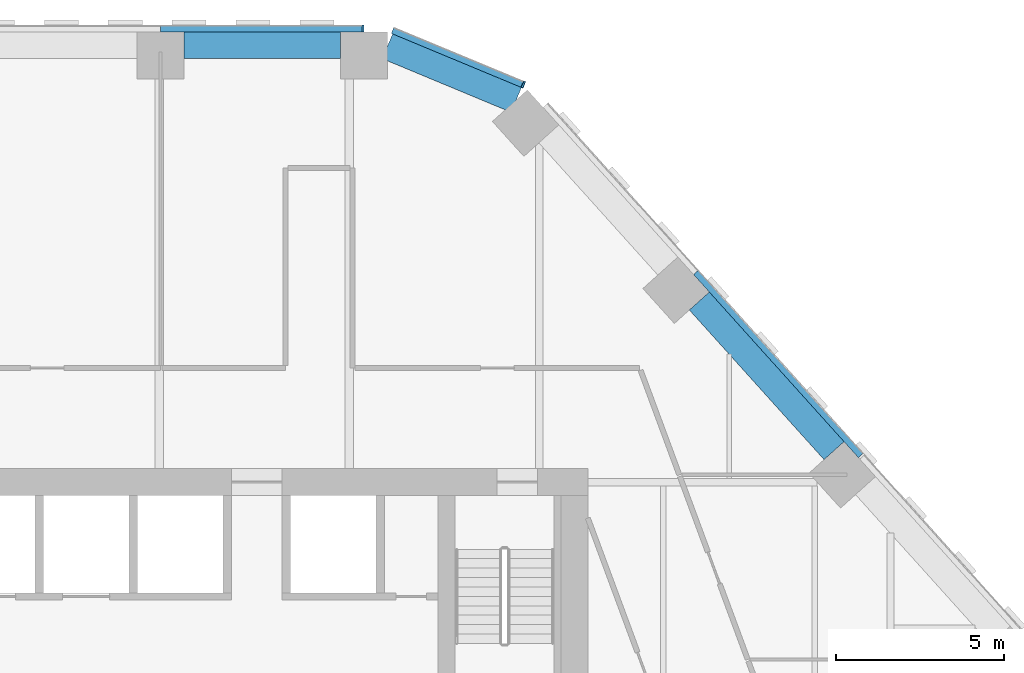
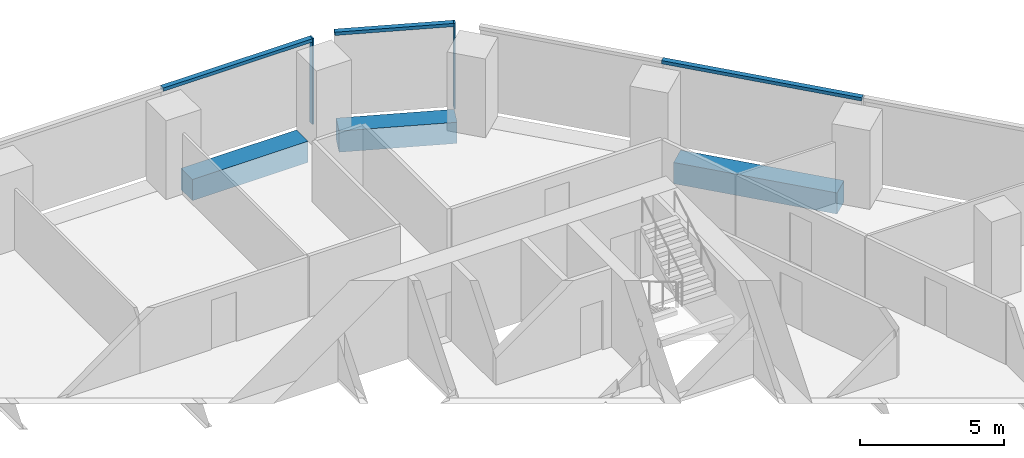
# One storey, part 9 of 17: 5 members, 3 beams, 3 elements without a shape of their own.
"""IFC4 building model written with IfcOpenShell, lengths in metres."""

import ifcopenshell
import ifcopenshell.guid

model = None  # the IFC model being written
_history = None  # IfcOwnerHistory: only IFC2X3 demands one
_inside = {}  # id of a spatial element -> (the spatial element, [elements in it])
_under = {}  # id of a project, library or spatial element -> (it, [spatial elements below it])
_declared = {}  # id of a project -> (the project, [libraries it declares])
_typed = {}  # id of a type object -> (the type object, [elements of that type])
_made_of = {}  # id of a material, layer set ... -> (it, [elements and type objects made of it])


def new_model(schema):
    """Start an empty IFC model of exactly this schema.

    Asked for "IFC4X3", IfcOpenShell would pick the latest addendum, in which some entities
    have other attributes; the version numbers below select the first issue.
    IFC2X3 requires an IfcOwnerHistory on every rooted entity: one is made here for all.
    """
    global model, _history
    if schema == "IFC4X3":
        model = ifcopenshell.file(schema_version=(4, 3, 0, 0))
    else:
        model = ifcopenshell.file(schema=schema)
    _inside.clear()
    _under.clear()
    _declared.clear()
    _typed.clear()
    _made_of.clear()
    _history = None
    if model.schema == "IFC2X3":
        org = make("IfcOrganization", Name="unknown")
        user = make(
            "IfcPersonAndOrganization",
            ThePerson=make("IfcPerson", FamilyName="unknown"),
            TheOrganization=org,
        )
        app = make(
            "IfcApplication",
            ApplicationDeveloper=org,
            Version="unknown",
            ApplicationFullName="unknown",
            ApplicationIdentifier="unknown",
        )
        _history = make(
            "IfcOwnerHistory",
            OwningUser=user,
            OwningApplication=app,
            ChangeAction="ADDED",
            CreationDate=0,
        )
    return model


def make(cls, **values):
    """One entity of the class cls with the attributes given. An attribute that is None is left unset."""
    return model.create_entity(
        cls, **{name: value for name, value in values.items() if value is not None}
    )


def rooted(cls, **values):
    """An entity with a GlobalId (a new one), such as an element, a storey or a relation."""
    return make(cls, GlobalId=ifcopenshell.guid.new(), OwnerHistory=_history, **values)


def si_unit(unit_type, name, prefix=None):
    """IfcSIUnit, for example si_unit("LENGTHUNIT", "METRE", prefix="MILLI")."""
    return make("IfcSIUnit", UnitType=unit_type, Prefix=prefix, Name=name)


def assignment(units):
    """IfcUnitAssignment: the units of a project."""
    return None if units is None else make("IfcUnitAssignment", Units=units)


def point(xyz):
    """IfcCartesianPoint."""
    return None if xyz is None else make("IfcCartesianPoint", Coordinates=xyz)


def direction(xyz):
    """IfcDirection."""
    return None if xyz is None else make("IfcDirection", DirectionRatios=xyz)


def frame(location, z_axis=None, x_axis=None):
    """IfcAxis2Placement3D, a coordinate frame: its origin and axes. An axis left out is left unset."""
    return make(
        "IfcAxis2Placement3D",
        Location=point(location),
        Axis=direction(z_axis),
        RefDirection=direction(x_axis),
    )


def frame_2d(location, x_axis=None):
    """IfcAxis2Placement2D, a coordinate frame in the plane: its origin and x axis."""
    return make(
        "IfcAxis2Placement2D", Location=point(location), RefDirection=direction(x_axis)
    )


def origin():
    """The frame at (0, 0, 0) with its axes left unset."""
    return frame((0.0, 0.0, 0.0))


def origin_2d():
    """The frame at (0, 0) in the plane with its x axis left unset."""
    return frame_2d((0.0, 0.0))


def place(relative_to, where):
    """IfcLocalPlacement: puts the frame where relative to a parent placement (None: the world)."""
    return make(
        "IfcLocalPlacement", PlacementRelTo=relative_to, RelativePlacement=where
    )


def context(
    kind, dimensions, precision=None, world=None, true_north=None, identifier=None
):
    """IfcGeometricRepresentationContext, for example the 3D "Model" context."""
    return make(
        "IfcGeometricRepresentationContext",
        ContextIdentifier=identifier,
        ContextType=kind,
        CoordinateSpaceDimension=dimensions,
        Precision=precision,
        WorldCoordinateSystem=world,
        TrueNorth=true_north,
    )


def subcontext(parent, identifier, kind, view, scale=None):
    """IfcGeometricRepresentationSubContext, for example "Body" below "Model"."""
    return make(
        "IfcGeometricRepresentationSubContext",
        ContextIdentifier=identifier,
        ContextType=kind,
        ParentContext=parent,
        TargetScale=scale,
        TargetView=view,
    )


def project(units=None, contexts=None):
    """IfcProject with its units and contexts."""
    return rooted(
        "IfcProject",
        Name="project",
        RepresentationContexts=contexts,
        UnitsInContext=assignment(units),
    )


def spatial(cls, under=None, at=None, **own):
    """A site, building, storey or space (cls), placed at a placement, below another one or the project."""
    s = rooted(cls, ObjectPlacement=at, **own)
    if under is not None:
        _under.setdefault(under.id(), (under, []))[1].append(s)
    return s


def profile(cls, at=None, kind="AREA", **sizes):
    """A parametric profile (cls). Its sizes go by their IFC names, for example OverallWidth=200.0."""
    return make(cls, ProfileType=kind, Position=at, **sizes)


def rectangle(**sizes):
    """IfcRectangleProfileDef."""
    return profile("IfcRectangleProfileDef", **sizes)


def extrude(swept, where, along, depth):
    """IfcExtrudedAreaSolid: the profile swept, set in the frame where, extruded along a direction by depth."""
    return make(
        "IfcExtrudedAreaSolid",
        SweptArea=swept,
        Position=where,
        ExtrudedDirection=direction(along),
        Depth=depth,
    )


def shape(context_of_items, identifier, shape_type, items):
    """IfcShapeRepresentation: the items that make up one representation, for example the "Body"."""
    return make(
        "IfcShapeRepresentation",
        ContextOfItems=context_of_items,
        RepresentationIdentifier=identifier,
        RepresentationType=shape_type,
        Items=items,
    )


def material(Name=None, Category=None):
    """IfcMaterial."""
    return make("IfcMaterial", Name=Name, Category=Category)


def layer(
    of_material, thickness, ventilated=None, Name=None, Category=None, Priority=None
):
    """IfcMaterialLayer: one layer of a wall or slab, of a material (None: an air gap)."""
    return make(
        "IfcMaterialLayer",
        Material=of_material,
        LayerThickness=thickness,
        IsVentilated=ventilated,
        Name=Name,
        Category=Category,
        Priority=Priority,
    )


def layer_set(layers, Name=None):
    """IfcMaterialLayerSet."""
    return make("IfcMaterialLayerSet", MaterialLayers=layers, LayerSetName=Name)


def material_profile(
    of_material, cross_section, Name=None, Category=None, Priority=None
):
    """IfcMaterialProfile: a cross section and its material."""
    return make(
        "IfcMaterialProfile",
        Name=Name,
        Material=of_material,
        Profile=cross_section,
        Priority=Priority,
        Category=Category,
    )


def profile_set(profiles, Name=None, composite=None):
    """IfcMaterialProfileSet."""
    return make(
        "IfcMaterialProfileSet",
        Name=Name,
        MaterialProfiles=profiles,
        CompositeProfile=composite,
    )


def made_of(thing, what):
    """Note that an element or type object is made of a material, layer set ...; save() writes the relation."""
    if what is not None:
        _made_of.setdefault(what.id(), (what, []))[1].append(thing)
    return thing


def type_object(cls, material=None, **own):
    """A type object (cls), such as IfcWallType, which elements share."""
    return made_of(rooted(cls, **own), material)


def element(
    cls,
    number,
    at=None,
    inside=None,
    cuts=None,
    type_object=None,
    material=None,
    context=None,
    identifier="Body",
    shape_type=None,
    held_by="IfcProductDefinitionShape",
    body=None,
    shapes=None,
    **own,
):
    """One element of the class cls, such as IfcWall. Its Tag is "e" and its number.

    at: its placement. inside: the storey or other place that contains it. cuts: it is an
    opening in that element (IfcRelVoidsElement). A single representation is given by context,
    identifier, shape_type and body (its items); several are given by shapes. held_by: the class
    of the entity that holds the representations. save() writes the other relations.
    """
    e = rooted(cls, Tag="e%d" % number, ObjectPlacement=at, **own)
    if body is not None:
        shapes = [shape(context, identifier, shape_type, body)]
    if shapes is not None:
        e.Representation = make(held_by, Representations=shapes)
    if inside is not None:
        _inside.setdefault(inside.id(), (inside, []))[1].append(e)
    if cuts is not None:
        rooted(
            "IfcRelVoidsElement", RelatingBuildingElement=cuts, RelatedOpeningElement=e
        )
    if type_object is not None:
        _typed.setdefault(type_object.id(), (type_object, []))[1].append(e)
    return made_of(e, material)


def aggregate(whole, parts):
    """IfcRelAggregates: a whole, such as a stair, and the parts it consists of."""
    return rooted("IfcRelAggregates", RelatingObject=whole, RelatedObjects=parts)


def save(model, path):
    """Write the relations noted so far, then the file.

    IfcRelAggregates (storeys below a building ...), IfcRelContainedInSpatialStructure (elements
    in a storey), IfcRelDefinesByType, IfcRelAssociatesMaterial and IfcRelDeclares: one each for
    every whole, place, type object, material and project.
    """
    for whole, parts in _under.values():
        aggregate(whole, parts)
    for where, things in _inside.values():
        rooted(
            "IfcRelContainedInSpatialStructure",
            RelatedElements=things,
            RelatingStructure=where,
        )
    for kind, things in _typed.values():
        rooted("IfcRelDefinesByType", RelatedObjects=things, RelatingType=kind)
    for what, things in _made_of.values():
        rooted("IfcRelAssociatesMaterial", RelatedObjects=things, RelatingMaterial=what)
    for by, libraries in _declared.values():
        rooted("IfcRelDeclares", RelatingContext=by, RelatedDefinitions=libraries)
    model.write(path)


model = new_model("IFC4")

# Units and contexts
model_context = context("Model", 3, precision=1e-05, world=origin(), true_north=direction((0.0, 1.0)))
body_context = subcontext(model_context, "Body", "Model", "MODEL_VIEW")
ifc_project = project(units=[si_unit("LENGTHUNIT", "METRE"), si_unit("AREAUNIT", "SQUARE_METRE"), si_unit("VOLUMEUNIT", "CUBIC_METRE"), si_unit("PLANEANGLEUNIT", "RADIAN"), si_unit("MASSUNIT", "GRAM", prefix="KILO")], contexts=[model_context])

# Site, building, storey
site_placement = place(None, origin())
site = spatial("IfcSite", under=ifc_project, at=site_placement, CompositionType="ELEMENT")
building_placement = place(site_placement, origin())
building = spatial("IfcBuilding", under=site, at=building_placement, Name="Isthmus Gate Tower", CompositionType="ELEMENT")
storey_placement = place(building_placement, frame((0.0, 0.0, 162.64990234375)))
storey = spatial("IfcBuildingStorey", under=building, at=storey_placement, Name="L40", CompositionType="ELEMENT", Elevation=162.64990234375)

# Curtain wall, member
ifc_material_1 = material(Name="Aluminium, pale champagne anodised", Category="aluminium")
ifc_layer = layer(ifc_material_1, 0.199951171875)
ifc_layer_set = layer_set([ifc_layer], Name="CW-1 UNITISED CURTAIN WALL 200 DEEP")
curtain_wall_type = type_object("IfcCurtainWallType", Name="CW-1 UNITISED CURTAIN WALL 200 DEEP", PredefinedType="NOTDEFINED", material=ifc_layer_set)
curtain_wall_1_placement = place(storey_placement, origin())
curtain_wall_1 = element("IfcCurtainWall", 1, at=curtain_wall_1_placement, inside=storey, type_object=curtain_wall_type, Name="CW-1 N L40", PredefinedType="NOTDEFINED")
ifc_material_2 = material(Name="Aluminium, pale champagne anodised", Category="aluminium")
ifc_material_profile_1 = material_profile(ifc_material_2, rectangle(XDim=0.06005859375, YDim=0.199951171875, at=origin_2d()), Name="60x200")
ifc_profile_set_1 = profile_set([ifc_material_profile_1], Name="Aluminium, pale champagne anodised")
member_type_1 = type_object("IfcMemberType", Name="CW-1 MULLION 60 X 200", PredefinedType="MULLION", material=ifc_profile_set_1)
member_1_placement = place(storey_placement, frame((8.30859375, 28.10009765625, 0.0), z_axis=(0.0, 0.0, 1.0), x_axis=(-1.0, 0.0, 0.0)))
member_1 = element("IfcMember", 2, at=member_1_placement, type_object=member_type_1, Name="CW-1 mullion", PredefinedType="MULLION", context=body_context, shape_type="SweptSolid", body=[
    extrude(rectangle(XDim=0.06005859375, YDim=0.199951171875, at=origin_2d()), origin(), (0.0, 0.0, 1.0), 3.650146484375),
])

curtain_wall_2_placement = place(storey_placement, origin())
curtain_wall_2 = element("IfcCurtainWall", 3, at=curtain_wall_2_placement, inside=storey, type_object=curtain_wall_type, Name="CW-1 NE-N L40", PredefinedType="NOTDEFINED")
member_2_placement = place(storey_placement, frame((13.080810546875, 26.427490234375, 0.0), z_axis=(0.0, 0.0, 1.0), x_axis=(-0.923353128387, 0.383951820282, 0.0)))
member_2 = element("IfcMember", 4, at=member_2_placement, type_object=member_type_1, Name="CW-1 mullion", PredefinedType="MULLION", context=body_context, shape_type="SweptSolid", body=[
    extrude(rectangle(XDim=0.06005859375, YDim=0.199951171875, at=origin_2d()), origin(), (0.0, 0.0, 1.0), 3.650146484375),
])

# Member
ifc_material_3 = material(Name="Aluminium, pale champagne anodised", Category="aluminium")
ifc_material_profile_2 = material_profile(ifc_material_3, rectangle(XDim=0.199951171875, YDim=0.139892578125, at=origin_2d()), Name="200x140")
ifc_profile_set_2 = profile_set([ifc_material_profile_2], Name="Aluminium, pale champagne anodised")
member_type_2 = type_object("IfcMemberType", Name="CW-1 TRANSOM 200 X 140", PredefinedType="USERDEFINED", material=ifc_profile_set_2)
member_3_placement = place(storey_placement, frame((8.278564453125, 28.10009765625, 3.580078125), z_axis=(-1.0, 0.0, 0.0), x_axis=(0.0, -1.0, 0.0)))
member_3 = element("IfcMember", 5, at=member_3_placement, type_object=member_type_2, Name="CW-1 transom", ObjectType="TRANSOM", PredefinedType="USERDEFINED", context=body_context, shape_type="SweptSolid", body=[
    extrude(rectangle(XDim=0.199951171875, YDim=0.139892578125, at=origin_2d()), origin(), (0.0, 0.0, 1.0), 5.990234375),
])

aggregate(curtain_wall_1, [member_1, member_3])

# Curtain wall, member
curtain_wall_3_placement = place(storey_placement, origin())
curtain_wall_3 = element("IfcCurtainWall", 6, at=curtain_wall_3_placement, inside=storey, type_object=curtain_wall_type, Name="CW-1 NE L40", PredefinedType="NOTDEFINED")
member_4_placement = place(storey_placement, frame((23.126708984375, 15.3955078125, 3.580078125), z_axis=(-0.669137671884, 0.743138463589, 0.0), x_axis=(-0.743138463589, -0.669137671884, 0.0)))
member_4 = element("IfcMember", 7, at=member_4_placement, type_object=member_type_2, Name="CW-1 transom", ObjectType="TRANSOM", PredefinedType="USERDEFINED", context=body_context, shape_type="SweptSolid", body=[
    extrude(rectangle(XDim=0.199951171875, YDim=0.139892578125, at=origin_2d()), origin(), (0.0, 0.0, 1.0), 7.330810546875),
])
aggregate(curtain_wall_3, [member_4])

# Member
member_5_placement = place(storey_placement, frame((13.05322265625, 26.43896484375, 3.580078125), z_axis=(-0.923358236369, 0.383939536033, 0.0), x_axis=(-0.383939536033, -0.923358236369, 0.0)))
member_5 = element("IfcMember", 8, at=member_5_placement, type_object=member_type_2, Name="CW-1 transom", ObjectType="TRANSOM", PredefinedType="USERDEFINED", context=body_context, shape_type="SweptSolid", body=[
    extrude(rectangle(XDim=0.199951171875, YDim=0.139892578125, at=origin_2d()), origin(), (0.0, 0.0, 1.0), 4.181640625),
])

aggregate(curtain_wall_2, [member_2, member_5])

# Beams
ifc_material_4 = material(Name="Concrete f'c 60 MPa", Category="concrete")
ifc_material_profile_3 = material_profile(ifc_material_4, rectangle(XDim=0.800048828125, YDim=0.89990234375, at=origin_2d()), Name="RC 800X900")
ifc_profile_set_3 = profile_set([ifc_material_profile_3], Name="Concrete f'c 60 MPa")
beam_type = type_object("IfcBeamType", Name="RC SPANDREL 800 X 900", PredefinedType="SPANDREL", material=ifc_profile_set_3)
beam_1_placement = place(storey_placement, frame((9.03857421875, 27.56689453125, -0.449951171875), z_axis=(0.923342835736, -0.383976571805, 0.0), x_axis=(0.383976571805, 0.923342835736, 0.0)))
element("IfcBeam", 9, at=beam_1_placement, inside=storey, type_object=beam_type, Name="str-spandrel-L40-00", PredefinedType="SPANDREL", context=body_context, shape_type="SweptSolid", body=[
    extrude(rectangle(XDim=0.800048828125, YDim=0.89990234375, at=origin_2d()), origin(), (0.0, 0.0, 1.0), 4.152587890625),
])
beam_2_placement = place(storey_placement, frame((18.318359375, 19.988525390625, -0.449951171875), z_axis=(0.669133582923, -0.743142145356, 0.0), x_axis=(0.743142145356, 0.669133582923, 0.0)))
element("IfcBeam", 10, at=beam_2_placement, inside=storey, type_object=beam_type, Name="str-spandrel-L40-02", PredefinedType="SPANDREL", context=body_context, shape_type="SweptSolid", body=[
    extrude(rectangle(XDim=0.800048828125, YDim=0.89990234375, at=origin_2d()), origin(), (0.0, 0.0, 1.0), 5.99072265625),
])
beam_3_placement = place(storey_placement, frame((2.988525390625, 27.60009765625, -0.449951171875), z_axis=(1.0, 0.0, 0.0), x_axis=(0.0, 1.0, 0.0)))
element("IfcBeam", 11, at=beam_3_placement, inside=storey, type_object=beam_type, Name="str-spandrel-L40-29", PredefinedType="SPANDREL", context=body_context, shape_type="SweptSolid", body=[
    extrude(rectangle(XDim=0.800048828125, YDim=0.89990234375, at=origin_2d()), origin(), (0.0, 0.0, 1.0), 4.650146484375),
])

save(model, "model.ifc")
